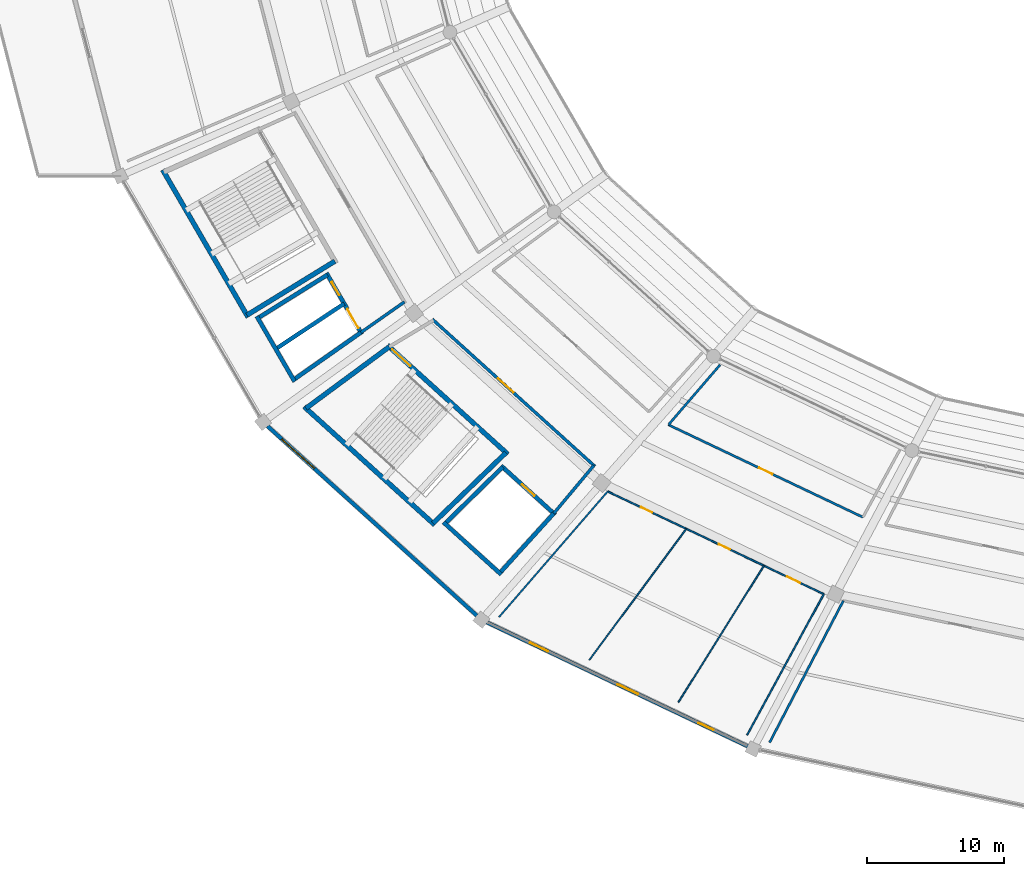
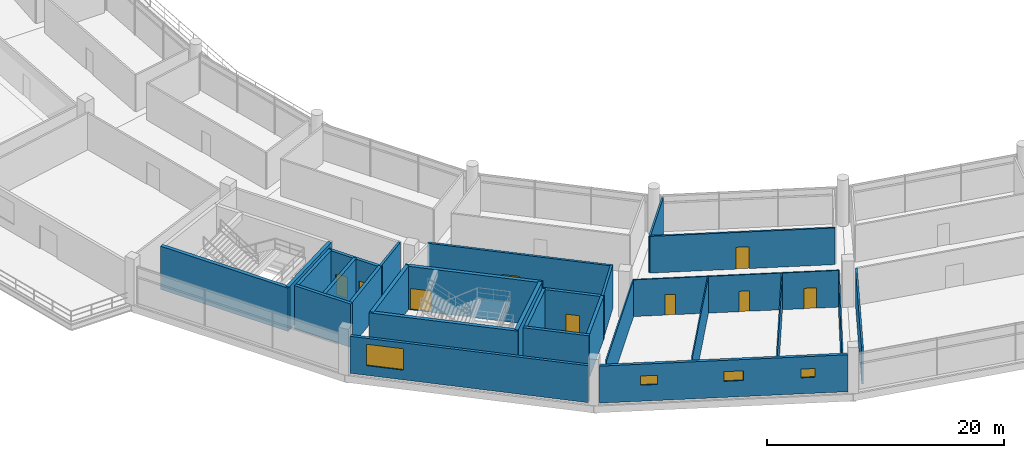
# One storey, part 128 of 171: 28 walls, 9 doors, 4 windows, 13 openings.
"""IFC4 building model written with IfcOpenShell, lengths in metres."""

from ifc_helpers import new_model, si_unit, direction, frame, frame_2d, origin, place, context, subcontext, project, spatial, rectangle, extrude, material, layer, layer_set, type_object, element, fill, save


model = new_model("IFC4")

# Units and contexts
model_context = context("Model", 3, precision=1e-05, world=origin(), true_north=direction((0.0, 1.0)))
body_context = subcontext(model_context, "Body", "Model", "MODEL_VIEW")
ifc_project = project(units=[si_unit("LENGTHUNIT", "METRE"), si_unit("AREAUNIT", "SQUARE_METRE"), si_unit("VOLUMEUNIT", "CUBIC_METRE"), si_unit("PLANEANGLEUNIT", "RADIAN"), si_unit("MASSUNIT", "GRAM", prefix="KILO")], contexts=[model_context])

# Site, building, storey
site_placement = place(None, origin())
site = spatial("IfcSite", under=ifc_project, at=site_placement, CompositionType="ELEMENT")
building_placement = place(site_placement, origin())
building = spatial("IfcBuilding", under=site, at=building_placement, Name="Kazemori Nagisa Stadium", CompositionType="ELEMENT")
storey_placement = place(building_placement, frame((0.0, 0.0, 15.639892578125)))
storey = spatial("IfcBuildingStorey", under=building, at=storey_placement, Name="L03", CompositionType="ELEMENT", Elevation=15.639892578125)

# Walls
ifc_material_1 = material(Name="Concrete C40/50 (Fc42)", Category="concrete")
ifc_layer_1 = layer(ifc_material_1, 0.35009765625, Name="Concrete C40/50 (Fc42)", Category="concrete")
ifc_layer_set_1 = layer_set([ifc_layer_1], Name="Concrete C40/50 (Fc42)")
wall_type_1 = type_object("IfcWallType", Name="Wall_W-CORE-350", PredefinedType="SHEAR", material=ifc_layer_set_1)
wall_1_placement = place(storey_placement, frame((37.19775390625, 63.6953125, 0.0), z_axis=(0.0, 0.0, 1.0), x_axis=(0.501601740165, -0.865098661577, 0.0)))
element("IfcWall", 1, at=wall_1_placement, inside=storey, type_object=wall_type_1, Name="Core stair rear shear wall ST09 L03", PredefinedType="SHEAR", context=body_context, shape_type="SweptSolid", body=[
    extrude(rectangle(XDim=12.404541015625, YDim=0.35009765625, at=frame_2d((6.2021484375, 0.0))), origin(), (0.0, 0.0, 1.0), 4.460205078125),
])
wall_2_placement = place(storey_placement, frame((49.738525390625, 57.04638671875, 0.0), z_axis=(0.0, 0.0, 1.0), x_axis=(-0.852334575619, -0.522996913188, 0.0)))
element("IfcWall", 2, at=wall_2_placement, inside=storey, type_object=wall_type_1, Name="Core stair right shear wall ST09 L03", PredefinedType="SHEAR", context=body_context, shape_type="SweptSolid", body=[
    extrude(rectangle(XDim=7.51611328125, YDim=0.35009765625, at=frame_2d((3.758056640625, 0.0))), origin(), (0.0, 0.0, 1.0), 4.460205078125),
])

# Wall, opening, door
wall_3_placement = place(storey_placement, frame((53.561279296875, 50.927978515625, 0.0), z_axis=(0.0, 0.0, 1.0), x_axis=(0.741358227035, -0.671109513572, 0.0)))
wall_3 = element("IfcWall", 3, at=wall_3_placement, inside=storey, type_object=wall_type_1, Name="Core stair front shear wall ST03 L03", PredefinedType="SHEAR", context=body_context, shape_type="SweptSolid", body=[
    extrude(rectangle(XDim=11.82666015625, YDim=0.35009765625, at=frame_2d((5.913330078125, 0.0))), origin(), (0.0, 0.0, 1.0), 4.460205078125),
])
opening_1_placement = place(wall_3_placement, frame((0.47509765625, 0.0, 0.0)))
opening_1 = element("IfcOpeningElement", 4, at=opening_1_placement, cuts=wall_3, Name="Opening D-ST-1800", PredefinedType="OPENING", context=body_context, shape_type="SweptSolid", body=[
    extrude(rectangle(XDim=1.800048828125, YDim=2.199951171875, at=frame_2d((0.89990234375, 1.10009765625))), frame((0.0, 0.18505859375, 0.0), z_axis=(0.0, -1.0, 0.0), x_axis=(1.0, 0.0, 0.0)), (0.0, 0.0, 1.0), 0.3701171875),
])
ifc_material_2 = material(Name="Galvanised steel sheet", Category="steel")
door_type_1 = type_object("IfcDoorType", Name="Door_D-ST-1800", OperationType="NOTDEFINED", PredefinedType="DOOR", material=ifc_material_2)
door_1_placement = place(opening_1_placement, frame((1.800048828125, 0.0, 0.0), z_axis=(0.0, 0.0, 1.0), x_axis=(-1.0, 0.0, 0.0)))
door_1 = element("IfcDoor", 5, at=door_1_placement, inside=storey, type_object=door_type_1, Name="Exit stair fire door ST03-L03", OperationType="SINGLE_SWING_RIGHT", OverallHeight=2.199951171875, OverallWidth=1.800048828125, PredefinedType="DOOR", context=body_context, shape_type="SweptSolid", body=[
    extrude(rectangle(XDim=1.800048828125, YDim=2.199951171875, at=frame_2d((0.89990234375, 1.10009765625))), frame((0.0, 0.02490234375, 0.0), z_axis=(0.0, -1.0, 0.0), x_axis=(1.0, 0.0, 0.0)), (0.0, 0.0, 1.0), 0.050048828125),
])
fill(opening_1, door_1)

# Walls
wall_4_placement = place(storey_placement, frame((47.500732421875, 46.451904296875, 0.0), z_axis=(0.0, 0.0, 1.0), x_axis=(0.741351373721, -0.671117084183, 0.0)))
element("IfcWall", 6, at=wall_4_placement, inside=storey, type_object=wall_type_1, Name="Core stair rear shear wall ST03 L03", PredefinedType="SHEAR", context=body_context, shape_type="SweptSolid", body=[
    extrude(rectangle(XDim=12.830322265625, YDim=0.35009765625, at=frame_2d((6.4150390625, 0.0))), origin(), (0.0, 0.0, 1.0), 4.460205078125),
])
wall_5_placement = place(storey_placement, frame((53.691162109375, 50.810546875, 0.0), z_axis=(0.0, 0.0, 1.0), x_axis=(-0.804395625347, -0.594093997548, 0.0)))
element("IfcWall", 7, at=wall_5_placement, inside=storey, type_object=wall_type_1, Name="Core stair left shear wall ST03 L03", PredefinedType="SHEAR", context=body_context, shape_type="SweptSolid", body=[
    extrude(rectangle(XDim=7.5341796875, YDim=0.35009765625, at=frame_2d((3.76708984375, 0.0))), origin(), (0.0, 0.0, 1.0), 4.460205078125),
])
wall_6_placement = place(storey_placement, frame((62.199462890625, 43.1083984375, 0.0), z_axis=(0.0, 0.0, 1.0), x_axis=(-0.718297398554, -0.69573619083, 0.0)))
element("IfcWall", 8, at=wall_6_placement, inside=storey, type_object=wall_type_1, Name="Core stair right shear wall ST03 L03", PredefinedType="SHEAR", context=body_context, shape_type="SweptSolid", body=[
    extrude(rectangle(XDim=7.40185546875, YDim=0.35009765625, at=frame_2d((3.700927734375, 0.0))), origin(), (0.0, 0.0, 1.0), 4.460205078125),
])

# Wall, opening, window
ifc_material_3 = material(Name="Concrete C40/50 (Fc42) precast", Category="concrete")
ifc_layer_2 = layer(ifc_material_3, 0.27490234375, Name="Concrete C40/50 (Fc42) precast", Category="concrete")
ifc_layer_set_2 = layer_set([ifc_layer_2], Name="Concrete C40/50 (Fc42) precast")
wall_type_2 = type_object("IfcWallType", Name="Wall_W-EXT-275", PredefinedType="SOLIDWALL", material=ifc_layer_set_2)
wall_7_placement = place(storey_placement, frame((44.830810546875, 45.037109375, 0.0), z_axis=(0.0, 0.0, 1.0), x_axis=(0.741352367697, -0.671115986183, 0.0)))
wall_7 = element("IfcWall", 9, at=wall_7_placement, inside=storey, type_object=wall_type_2, Name="Exterior facade wall L03-18", PredefinedType="SOLIDWALL", context=body_context, shape_type="SweptSolid", body=[
    extrude(rectangle(XDim=20.56396484375, YDim=0.27490234375, at=frame_2d((10.281982421875, 0.0))), origin(), (0.0, 0.0, 1.0), 3.81005859375),
])
opening_2_placement = place(wall_7_placement, frame((1.39990234375, 0.0, 1.0)))
opening_2 = element("IfcOpeningElement", 10, at=opening_2_placement, cuts=wall_7, Name="Opening WIN-L03-3200", PredefinedType="OPENING", context=body_context, shape_type="SweptSolid", body=[
    extrude(rectangle(XDim=3.199951171875, YDim=2.199951171875, at=frame_2d((1.60009765625, 1.10009765625))), frame((0.0, 0.1474609375, 0.0), z_axis=(0.0, -1.0, 0.0), x_axis=(1.0, 0.0, 0.0)), (0.0, 0.0, 1.0), 0.294921875),
])
ifc_material_4 = material(Name="Low-e laminated double glazing", Category="glass")
window_type_1 = type_object("IfcWindowType", Name="Window_WIN-L03-3200", PartitioningType="SINGLE_PANEL", PredefinedType="WINDOW", material=ifc_material_4)
window_1_placement = place(opening_2_placement, origin())
window_1 = element("IfcWindow", 11, at=window_1_placement, inside=storey, type_object=window_type_1, Name="Core lobby window L03-18", OverallHeight=2.199951171875, OverallWidth=3.199951171875, PartitioningType="SINGLE_PANEL", PredefinedType="WINDOW", context=body_context, shape_type="SweptSolid", body=[
    extrude(rectangle(XDim=3.199951171875, YDim=2.199951171875, at=frame_2d((1.60009765625, 1.10009765625))), frame((0.0, 0.030029296875, 0.0), z_axis=(0.0, -1.0, 0.0), x_axis=(1.0, 0.0, 0.0)), (0.0, 0.0, 1.0), 0.06005859375),
])
fill(opening_2, window_1)

# Wall, openings, windows
wall_8_placement = place(storey_placement, frame((60.799560546875, 30.752197265625, 0.0), z_axis=(0.0, 0.0, 1.0), x_axis=(0.903214855299, -0.429188682478, 0.0)))
wall_8 = element("IfcWall", 12, at=wall_8_placement, inside=storey, type_object=wall_type_2, Name="Exterior facade wall L03-19", PredefinedType="SOLIDWALL", context=body_context, shape_type="SweptSolid", body=[
    extrude(rectangle(XDim=21.0341796875, YDim=0.27490234375, at=frame_2d((10.51708984375, 0.0))), origin(), (0.0, 0.0, 1.0), 3.81005859375),
])
opening_3_placement = place(wall_8_placement, frame((3.48193359375, 0.0, 1.64990234375)))
opening_3 = element("IfcOpeningElement", 13, at=opening_3_placement, cuts=wall_8, Name="Opening WIN-WC-1450", PredefinedType="OPENING", context=body_context, shape_type="SweptSolid", body=[
    extrude(rectangle(XDim=1.449951171875, YDim=0.949951171875, at=frame_2d((0.72509765625, 0.47509765625))), frame((0.0, 0.1474609375, 0.0), z_axis=(0.0, -1.0, 0.0), x_axis=(1.0, 0.0, 0.0)), (0.0, 0.0, 1.0), 0.294921875),
])
opening_4_placement = place(wall_8_placement, frame((10.532958984375, 0.0, 1.64990234375)))
opening_4 = element("IfcOpeningElement", 14, at=opening_4_placement, cuts=wall_8, Name="Opening WIN-WC-1650", PredefinedType="OPENING", context=body_context, shape_type="SweptSolid", body=[
    extrude(rectangle(XDim=1.64990234375, YDim=1.0, at=frame_2d((0.824951171875, 0.5))), frame((0.0, 0.1474609375, 0.0), z_axis=(0.0, -1.0, 0.0), x_axis=(1.0, 0.0, 0.0)), (0.0, 0.0, 1.0), 0.294921875),
])
opening_5_placement = place(wall_8_placement, frame((17.069091796875, 0.0, 1.64990234375)))
opening_5 = element("IfcOpeningElement", 15, at=opening_5_placement, cuts=wall_8, Name="Opening WIN-WC-1200", PredefinedType="OPENING", context=body_context, shape_type="SweptSolid", body=[
    extrude(rectangle(XDim=1.199951171875, YDim=0.89990234375, at=frame_2d((0.60009765625, 0.449951171875))), frame((0.0, 0.1474609375, 0.0), z_axis=(0.0, -1.0, 0.0), x_axis=(1.0, 0.0, 0.0)), (0.0, 0.0, 1.0), 0.294921875),
])
window_type_2 = type_object("IfcWindowType", Name="Window_WIN-WC-1200", PartitioningType="SINGLE_PANEL", PredefinedType="WINDOW", material=ifc_material_4)
window_2_placement = place(opening_5_placement, origin())
window_2 = element("IfcWindow", 16, at=window_2_placement, inside=storey, type_object=window_type_2, Name="Sanitary clerestory window L03-19-3", OverallHeight=0.89990234375, OverallWidth=1.199951171875, PartitioningType="SINGLE_PANEL", PredefinedType="WINDOW", context=body_context, shape_type="SweptSolid", body=[
    extrude(rectangle(XDim=1.199951171875, YDim=0.89990234375, at=frame_2d((0.60009765625, 0.449951171875))), frame((0.0, 0.030029296875, 0.0), z_axis=(0.0, -1.0, 0.0), x_axis=(1.0, 0.0, 0.0)), (0.0, 0.0, 1.0), 0.06005859375),
])
fill(opening_5, window_2)
window_type_3 = type_object("IfcWindowType", Name="Window_WIN-WC-1450", PartitioningType="SINGLE_PANEL", PredefinedType="WINDOW", material=ifc_material_4)
window_3_placement = place(opening_3_placement, origin())
window_3 = element("IfcWindow", 17, at=window_3_placement, inside=storey, type_object=window_type_3, Name="Sanitary clerestory window L03-19-1", OverallHeight=0.949951171875, OverallWidth=1.449951171875, PartitioningType="SINGLE_PANEL", PredefinedType="WINDOW", context=body_context, shape_type="SweptSolid", body=[
    extrude(rectangle(XDim=1.449951171875, YDim=0.949951171875, at=frame_2d((0.72509765625, 0.47509765625))), frame((0.0, 0.030029296875, 0.0), z_axis=(0.0, -1.0, 0.0), x_axis=(1.0, 0.0, 0.0)), (0.0, 0.0, 1.0), 0.06005859375),
])
fill(opening_3, window_3)
window_type_4 = type_object("IfcWindowType", Name="Window_WIN-WC-1650", PartitioningType="SINGLE_PANEL", PredefinedType="WINDOW", material=ifc_material_4)
window_4_placement = place(opening_4_placement, origin())
window_4 = element("IfcWindow", 18, at=window_4_placement, inside=storey, type_object=window_type_4, Name="Sanitary clerestory window L03-19-2", OverallHeight=1.0, OverallWidth=1.64990234375, PartitioningType="SINGLE_PANEL", PredefinedType="WINDOW", context=body_context, shape_type="SweptSolid", body=[
    extrude(rectangle(XDim=1.64990234375, YDim=1.0, at=frame_2d((0.824951171875, 0.5))), frame((0.0, 0.030029296875, 0.0), z_axis=(0.0, -1.0, 0.0), x_axis=(1.0, 0.0, 0.0)), (0.0, 0.0, 1.0), 0.06005859375),
])
fill(opening_4, window_4)

# Wall
ifc_material_5 = material(Name="Concrete C36/45 (Fc36)", Category="concrete")
ifc_layer_3 = layer(ifc_material_5, 0.219970703125, Name="Concrete C36/45 (Fc36)", Category="concrete")
ifc_layer_set_3 = layer_set([ifc_layer_3], Name="Concrete C36/45 (Fc36)")
wall_type_3 = type_object("IfcWallType", Name="Wall_W-LOBBY-220", PredefinedType="SOLIDWALL", material=ifc_layer_set_3)
wall_9_placement = place(storey_placement, frame((54.799560546875, 54.0791015625, 0.0), z_axis=(0.0, 0.0, 1.0), x_axis=(-0.818225400643, -0.574897550649, 0.0)))
element("IfcWall", 19, at=wall_9_placement, inside=storey, type_object=wall_type_3, Name="Core lobby right wall ST09 L03", PredefinedType="SOLIDWALL", context=body_context, shape_type="SweptSolid", body=[
    extrude(rectangle(XDim=3.867919921875, YDim=0.219970703125, at=frame_2d((1.93408203125, 0.0))), origin(), (0.0, 0.0, 1.0), 4.460205078125),
])

# Wall, opening, door
wall_10_placement = place(storey_placement, frame((56.833740234375, 52.8193359375, 0.0), z_axis=(0.0, 0.0, 1.0), x_axis=(0.741351035574, -0.671117457717, 0.0)))
wall_10 = element("IfcWall", 20, at=wall_10_placement, inside=storey, type_object=wall_type_3, Name="Core lobby fire wall ST03 L03", PredefinedType="SOLIDWALL", context=body_context, shape_type="SweptSolid", body=[
    extrude(rectangle(XDim=15.96923828125, YDim=0.219970703125, at=frame_2d((7.984619140625, 0.0))), origin(), (0.0, 0.0, 1.0), 4.460205078125),
])
opening_6_placement = place(wall_10_placement, frame((6.447021484375, 0.0, 0.0)))
opening_6 = element("IfcOpeningElement", 21, at=opening_6_placement, cuts=wall_10, Name="Opening D-FFL-1500", PredefinedType="OPENING", context=body_context, shape_type="SweptSolid", body=[
    extrude(rectangle(XDim=1.5, YDim=2.199951171875, at=frame_2d((0.75, 1.10009765625))), frame((0.0, 0.119873046875, 0.0), z_axis=(0.0, -1.0, 0.0), x_axis=(1.0, 0.0, 0.0)), (0.0, 0.0, 1.0), 0.239990234375),
])
door_type_2 = type_object("IfcDoorType", Name="Door_D-FFL-1500", OperationType="NOTDEFINED", PredefinedType="DOOR", material=ifc_material_2)
door_2_placement = place(opening_6_placement, frame((1.5, 0.0, 0.0), z_axis=(0.0, 0.0, 1.0), x_axis=(-1.0, 0.0, 0.0)))
door_2 = element("IfcDoor", 22, at=door_2_placement, inside=storey, type_object=door_type_2, Name="Protected lobby fire door ST03-L03", OperationType="DOUBLE_DOOR_SINGLE_SWING", OverallHeight=2.199951171875, OverallWidth=1.5, PredefinedType="DOOR", context=body_context, shape_type="SweptSolid", body=[
    extrude(rectangle(XDim=1.5, YDim=2.199951171875, at=frame_2d((0.75, 1.10009765625))), frame((0.0, 0.02490234375, 0.0), z_axis=(0.0, -1.0, 0.0), x_axis=(1.0, 0.0, 0.0)), (0.0, 0.0, 1.0), 0.050048828125),
])
fill(opening_6, door_2)

# Walls
wall_11_placement = place(storey_placement, frame((68.591064453125, 42.176025390625, 0.0), z_axis=(0.0, 0.0, 1.0), x_axis=(-0.640759627034, -0.767741558315, 0.0)))
element("IfcWall", 23, at=wall_11_placement, inside=storey, type_object=wall_type_3, Name="Core lobby right wall ST03 L03", PredefinedType="SOLIDWALL", context=body_context, shape_type="SweptSolid", body=[
    extrude(rectangle(XDim=4.549072265625, YDim=0.219970703125, at=frame_2d((2.2744140625, 0.0))), origin(), (0.0, 0.0, 1.0), 4.460205078125),
])
ifc_material_6 = material(Name="High-pressure phenolic compact laminate", Category="gypsum")
ifc_layer_4 = layer(ifc_material_6, 0.10009765625, Name="High-pressure phenolic compact laminate", Category="gypsum")
ifc_layer_set_4 = layer_set([ifc_layer_4], Name="High-pressure phenolic compact laminate")
wall_type_4 = type_object("IfcWallType", Name="Wall_W-PART-100", PredefinedType="PARTITIONING", material=ifc_layer_set_4)
wall_12_placement = place(storey_placement, frame((75.326416015625, 37.55859375, 0.0), z_axis=(0.0, 0.0, 1.0), x_axis=(-0.594760374645, -0.803903039397, 0.0)))
element("IfcWall", 24, at=wall_12_placement, inside=storey, type_object=wall_type_4, Name="Sanitary divider partition L03-B19-1", PredefinedType="PARTITIONING", context=body_context, shape_type="SweptSolid", body=[
    extrude(rectangle(XDim=11.875244140625, YDim=0.10009765625, at=frame_2d((5.9375, 0.0))), origin(), (0.0, 0.0, 1.0), 3.780029296875),
])
wall_13_placement = place(storey_placement, frame((80.974609375, 34.874755859375, 0.0), z_axis=(0.0, 0.0, 1.0), x_axis=(-0.530664656497, -0.847581867636, 0.0)))
element("IfcWall", 25, at=wall_13_placement, inside=storey, type_object=wall_type_4, Name="Sanitary divider partition L03-B19-2", PredefinedType="PARTITIONING", context=body_context, shape_type="SweptSolid", body=[
    extrude(rectangle(XDim=11.732666015625, YDim=0.10009765625, at=frame_2d((5.8662109375, 0.0))), origin(), (0.0, 0.0, 1.0), 3.780029296875),
])

# Wall, openings, doors
ifc_material_7 = material(Name="Moisture-resistant gypsum board", Category="gypsum")
ifc_layer_5 = layer(ifc_material_7, 0.114990234375, Name="Moisture-resistant gypsum board", Category="gypsum")
ifc_layer_set_5 = layer_set([ifc_layer_5], Name="Moisture-resistant gypsum board")
wall_type_5 = type_object("IfcWallType", Name="Wall_W-PART-115", PredefinedType="PARTITIONING", material=ifc_layer_set_5)
wall_14_placement = place(storey_placement, frame((69.599365234375, 40.280029296875, 0.0), z_axis=(0.0, 0.0, 1.0), x_axis=(0.903217202186, -0.429183743488, 0.0)))
wall_14 = element("IfcWall", 26, at=wall_14_placement, inside=storey, type_object=wall_type_5, Name="Sanitary block corridor partition L03-B19", PredefinedType="PARTITIONING", context=body_context, shape_type="SweptSolid", body=[
    extrude(rectangle(XDim=17.419189453125, YDim=0.114990234375, at=frame_2d((8.70947265625, 0.0))), origin(), (0.0, 0.0, 1.0), 3.780029296875),
])
opening_7_placement = place(wall_14_placement, frame((2.68505859375, 0.0, 0.0)))
opening_7 = element("IfcOpeningElement", 27, at=opening_7_placement, cuts=wall_14, Name="Opening D-WC-900", PredefinedType="OPENING", context=body_context, shape_type="SweptSolid", body=[
    extrude(rectangle(XDim=0.89990234375, YDim=2.10009765625, at=frame_2d((0.449951171875, 1.050048828125))), frame((0.0, 0.0673828125, 0.0), z_axis=(0.0, -1.0, 0.0), x_axis=(1.0, 0.0, 0.0)), (0.0, 0.0, 1.0), 0.135009765625),
])
opening_8_placement = place(wall_14_placement, frame((8.9560546875, 0.0, 0.0)))
opening_8 = element("IfcOpeningElement", 28, at=opening_8_placement, cuts=wall_14, Name="Opening D-WC-900", PredefinedType="OPENING", context=body_context, shape_type="SweptSolid", body=[
    extrude(rectangle(XDim=0.89990234375, YDim=2.10009765625, at=frame_2d((0.449951171875, 1.050048828125))), frame((0.0, 0.0673828125, 0.0), z_axis=(0.0, -1.0, 0.0), x_axis=(1.0, 0.0, 0.0)), (0.0, 0.0, 1.0), 0.135009765625),
])
opening_9_placement = place(wall_14_placement, frame((14.455078125, 0.0, 0.0)))
opening_9 = element("IfcOpeningElement", 29, at=opening_9_placement, cuts=wall_14, Name="Opening D-AWC-1050", PredefinedType="OPENING", context=body_context, shape_type="SweptSolid", body=[
    extrude(rectangle(XDim=1.050048828125, YDim=2.10009765625, at=frame_2d((0.52490234375, 1.050048828125))), frame((0.0, 0.0673828125, 0.0), z_axis=(0.0, -1.0, 0.0), x_axis=(1.0, 0.0, 0.0)), (0.0, 0.0, 1.0), 0.135009765625),
])
ifc_material_8 = material(Name="High-pressure laminate on timber core", Category="wood")
door_type_3 = type_object("IfcDoorType", Name="Door_D-AWC-1050", OperationType="NOTDEFINED", PredefinedType="DOOR", material=ifc_material_8)
door_3_placement = place(opening_9_placement, origin())
door_3 = element("IfcDoor", 30, at=door_3_placement, inside=storey, type_object=door_type_3, Name="AWC entrance door L03-B19", OperationType="SINGLE_SWING_RIGHT", OverallHeight=2.10009765625, OverallWidth=1.050048828125, PredefinedType="DOOR", context=body_context, shape_type="SweptSolid", body=[
    extrude(rectangle(XDim=1.050048828125, YDim=2.10009765625, at=frame_2d((0.52490234375, 1.050048828125))), frame((0.0, 0.02490234375, 0.0), z_axis=(0.0, -1.0, 0.0), x_axis=(1.0, 0.0, 0.0)), (0.0, 0.0, 1.0), 0.050048828125),
])
fill(opening_9, door_3)
door_type_4 = type_object("IfcDoorType", Name="Door_D-WC-900", OperationType="NOTDEFINED", PredefinedType="DOOR", material=ifc_material_8)
door_4_placement = place(opening_7_placement, origin())
door_4 = element("IfcDoor", 31, at=door_4_placement, inside=storey, type_object=door_type_4, Name="MWC entrance door L03-B19", OperationType="SINGLE_SWING_RIGHT", OverallHeight=2.10009765625, OverallWidth=0.89990234375, PredefinedType="DOOR", context=body_context, shape_type="SweptSolid", body=[
    extrude(rectangle(XDim=0.89990234375, YDim=2.10009765625, at=frame_2d((0.449951171875, 1.050048828125))), frame((0.0, 0.02490234375, 0.0), z_axis=(0.0, -1.0, 0.0), x_axis=(1.0, 0.0, 0.0)), (0.0, 0.0, 1.0), 0.050048828125),
])
fill(opening_7, door_4)
door_5_placement = place(opening_8_placement, origin())
door_5 = element("IfcDoor", 32, at=door_5_placement, inside=storey, type_object=door_type_4, Name="FWC entrance door L03-B19", OperationType="SINGLE_SWING_LEFT", OverallHeight=2.10009765625, OverallWidth=0.89990234375, PredefinedType="DOOR", context=body_context, shape_type="SweptSolid", body=[
    extrude(rectangle(XDim=0.89990234375, YDim=2.10009765625, at=frame_2d((0.449951171875, 1.050048828125))), frame((0.0, 0.02490234375, 0.0), z_axis=(0.0, -1.0, 0.0), x_axis=(1.0, 0.0, 0.0)), (0.0, 0.0, 1.0), 0.050048828125),
])
fill(opening_8, door_5)

# Walls
wall_15_placement = place(storey_placement, frame((69.599365234375, 40.280029296875, 0.0), z_axis=(0.0, 0.0, 1.0), x_axis=(-0.654293035882, -0.756241114458, 0.0)))
element("IfcWall", 33, at=wall_15_placement, inside=storey, type_object=wall_type_5, Name="Sanitary block L partition L03-B19", PredefinedType="PARTITIONING", context=body_context, shape_type="SweptSolid", body=[
    extrude(rectangle(XDim=12.091064453125, YDim=0.114990234375, at=frame_2d((6.04541015625, 0.0))), origin(), (0.0, 0.0, 1.0), 3.780029296875),
])
wall_16_placement = place(storey_placement, frame((85.332763671875, 32.803955078125, 0.0), z_axis=(0.0, 0.0, 1.0), x_axis=(-0.478125060974, -0.878291765912, 0.0)))
element("IfcWall", 34, at=wall_16_placement, inside=storey, type_object=wall_type_5, Name="Sanitary block R partition L03-B19", PredefinedType="PARTITIONING", context=body_context, shape_type="SweptSolid", body=[
    extrude(rectangle(XDim=11.671875, YDim=0.114990234375, at=frame_2d((5.8359375, 0.0))), origin(), (0.0, 0.0, 1.0), 3.780029296875),
])
ifc_material_9 = material(Name="Gypsum plasterboard", Category="gypsum")
ifc_layer_6 = layer(ifc_material_9, 0.1650390625, Name="Gypsum plasterboard", Category="gypsum")
ifc_layer_set_6 = layer_set([ifc_layer_6], Name="Gypsum plasterboard")
wall_type_6 = type_object("IfcWallType", Name="Wall_W-PART-165", PredefinedType="PARTITIONING", material=ifc_layer_set_6)
wall_17_placement = place(storey_placement, frame((86.755615234375, 32.322509765625, 0.0), z_axis=(0.0, 0.0, 1.0), x_axis=(-0.46148287956, -0.88714911479, 0.0)))
element("IfcWall", 35, at=wall_17_placement, inside=storey, type_object=wall_type_6, Name="Room radial partition L03-B20-L", PredefinedType="PARTITIONING", context=body_context, shape_type="SweptSolid", body=[
    extrude(rectangle(XDim=11.635498046875, YDim=0.1650390625, at=frame_2d((5.81787109375, 0.0))), origin(), (0.0, 0.0, 1.0), 3.780029296875),
])

# Wall, opening, door
wall_18_placement = place(storey_placement, frame((74.021484375, 45.13427734375, 0.0), z_axis=(0.0, 0.0, 1.0), x_axis=(0.903213075216, -0.42919242859, 0.0)))
wall_18 = element("IfcWall", 36, at=wall_18_placement, inside=storey, type_object=wall_type_6, Name="Bowl hospitality suite partition L03-B19", PredefinedType="PARTITIONING", context=body_context, shape_type="SweptSolid", body=[
    extrude(rectangle(XDim=15.679443359375, YDim=0.1650390625, at=frame_2d((7.83984375, 0.0))), origin(), (0.0, 0.0, 1.0), 3.780029296875),
])
opening_10_placement = place(wall_18_placement, frame((7.2900390625, 0.0, 0.0)))
opening_10 = element("IfcOpeningElement", 37, at=opening_10_placement, cuts=wall_18, Name="Opening D-SUI-1100", PredefinedType="OPENING", context=body_context, shape_type="SweptSolid", body=[
    extrude(rectangle(XDim=1.10009765625, YDim=2.25, at=frame_2d((0.550048828125, 1.125))), frame((0.0, 0.092529296875, 0.0), z_axis=(0.0, -1.0, 0.0), x_axis=(1.0, 0.0, 0.0)), (0.0, 0.0, 1.0), 0.18505859375),
])
ifc_material_10 = material(Name="Oak timber veneer", Category="wood")
door_type_5 = type_object("IfcDoorType", Name="Door_D-SUI-1100", OperationType="NOTDEFINED", PredefinedType="DOOR", material=ifc_material_10)
door_6_placement = place(opening_10_placement, origin())
door_6 = element("IfcDoor", 38, at=door_6_placement, inside=storey, type_object=door_type_5, Name="Bowl hospitality suite door L03-B19", OperationType="SINGLE_SWING_LEFT", OverallHeight=2.25, OverallWidth=1.10009765625, PredefinedType="DOOR", context=body_context, shape_type="SweptSolid", body=[
    extrude(rectangle(XDim=1.10009765625, YDim=2.25, at=frame_2d((0.550048828125, 1.125))), frame((0.0, 0.02490234375, 0.0), z_axis=(0.0, -1.0, 0.0), x_axis=(1.0, 0.0, 0.0)), (0.0, 0.0, 1.0), 0.050048828125),
])
fill(opening_10, door_6)

# Wall
wall_19_placement = place(storey_placement, frame((74.021484375, 45.13427734375, 0.0), z_axis=(0.0, 0.0, 1.0), x_axis=(0.652601574789, 0.757701250219, 0.0)))
element("IfcWall", 39, at=wall_19_placement, inside=storey, type_object=wall_type_6, Name="Bowl hospitality suite divider L03-B19L", PredefinedType="PARTITIONING", context=body_context, shape_type="SweptSolid", body=[
    extrude(rectangle(XDim=5.758544921875, YDim=0.1650390625, at=frame_2d((2.87939453125, 0.0))), origin(), (0.0, 0.0, 1.0), 3.780029296875),
])

# Wall, openings, doors
ifc_layer_7 = layer(ifc_material_1, 0.300048828125, Name="Concrete C40/50 (Fc42)", Category="concrete")
ifc_layer_set_7 = layer_set([ifc_layer_7], Name="Concrete C40/50 (Fc42)")
wall_type_7 = type_object("IfcWallType", Name="Wall_W-SHAFT-300", PredefinedType="SHEAR", material=ifc_layer_set_7)
wall_20_placement = place(storey_placement, frame((49.123046875, 56.1875, 0.0), z_axis=(0.0, 0.0, 1.0), x_axis=(0.501629534056, -0.86508254552, 0.0)))
wall_20 = element("IfcWall", 40, at=wall_20_placement, inside=storey, type_object=wall_type_7, Name="Lift shaft front wall LP7 L03", PredefinedType="SHEAR", context=body_context, shape_type="SweptSolid", body=[
    extrude(rectangle(XDim=5.157470703125, YDim=0.300048828125, at=frame_2d((2.57861328125, 0.0))), origin(), (0.0, 0.0, 1.0), 4.460205078125),
])
opening_11_placement = place(wall_20_placement, frame((0.76611328125, 0.0, 0.0)))
opening_11 = element("IfcOpeningElement", 41, at=opening_11_placement, cuts=wall_20, Name="Opening LD-PAX", PredefinedType="OPENING", context=body_context, shape_type="SweptSolid", body=[
    extrude(rectangle(XDim=1.10009765625, YDim=2.199951171875, at=frame_2d((0.550048828125, 1.10009765625))), frame((0.0, 0.159912109375, 0.0), z_axis=(0.0, -1.0, 0.0), x_axis=(1.0, 0.0, 0.0)), (0.0, 0.0, 1.0), 0.320068359375),
])
opening_12_placement = place(wall_20_placement, frame((3.0419921875, 0.0, 0.0)))
opening_12 = element("IfcOpeningElement", 42, at=opening_12_placement, cuts=wall_20, Name="Opening LD-GDS", PredefinedType="OPENING", context=body_context, shape_type="SweptSolid", body=[
    extrude(rectangle(XDim=1.60009765625, YDim=2.300048828125, at=frame_2d((0.800048828125, 1.14990234375))), frame((0.0, 0.159912109375, 0.0), z_axis=(0.0, -1.0, 0.0), x_axis=(1.0, 0.0, 0.0)), (0.0, 0.0, 1.0), 0.320068359375),
])
ifc_material_11 = material(Name="Stainless steel SUS304", Category="steel")
door_type_6 = type_object("IfcDoorType", Name="Door_LD-GDS", OperationType="SLIDING_TO_LEFT", PredefinedType="DOOR", material=ifc_material_11)
door_7_placement = place(opening_12_placement, origin())
door_7 = element("IfcDoor", 43, at=door_7_placement, inside=storey, type_object=door_type_6, Name="Lift landing door LG2-L03", OperationType="SLIDING_TO_LEFT", OverallHeight=2.300048828125, OverallWidth=1.60009765625, PredefinedType="DOOR", context=body_context, shape_type="SweptSolid", body=[
    extrude(rectangle(XDim=1.60009765625, YDim=2.300048828125, at=frame_2d((0.800048828125, 1.14990234375))), frame((0.0, 0.02490234375, 0.0), z_axis=(0.0, -1.0, 0.0), x_axis=(1.0, 0.0, 0.0)), (0.0, 0.0, 1.0), 0.050048828125),
])
fill(opening_12, door_7)
door_type_7 = type_object("IfcDoorType", Name="Door_LD-PAX", OperationType="SLIDING_TO_RIGHT", PredefinedType="DOOR", material=ifc_material_11)
door_8_placement = place(opening_11_placement, origin())
door_8 = element("IfcDoor", 44, at=door_8_placement, inside=storey, type_object=door_type_7, Name="Lift landing door LP7-L03", OperationType="SLIDING_TO_RIGHT", OverallHeight=2.199951171875, OverallWidth=1.10009765625, PredefinedType="DOOR", context=body_context, shape_type="SweptSolid", body=[
    extrude(rectangle(XDim=1.10009765625, YDim=2.199951171875, at=frame_2d((0.550048828125, 1.10009765625))), frame((0.0, 0.02490234375, 0.0), z_axis=(0.0, -1.0, 0.0), x_axis=(1.0, 0.0, 0.0)), (0.0, 0.0, 1.0), 0.050048828125),
])
fill(opening_11, door_8)

# Walls
wall_21_placement = place(storey_placement, frame((44.05029296875, 53.029541015625, 0.0), z_axis=(0.0, 0.0, 1.0), x_axis=(0.501596987756, -0.865101417103, 0.0)))
element("IfcWall", 45, at=wall_21_placement, inside=storey, type_object=wall_type_7, Name="Lift shaft B wall LP7 L03", PredefinedType="SHEAR", context=body_context, shape_type="SweptSolid", body=[
    extrude(rectangle(XDim=5.4912109375, YDim=0.300048828125, at=frame_2d((2.74560546875, 0.0))), origin(), (0.0, 0.0, 1.0), 4.460205078125),
])
wall_22_placement = place(storey_placement, frame((49.1982421875, 56.0576171875, 0.0), z_axis=(0.0, 0.0, 1.0), x_axis=(-0.848938067893, -0.528492343257, 0.0)))
element("IfcWall", 46, at=wall_22_placement, inside=storey, type_object=wall_type_7, Name="Lift shaft L wall LP7 L03", PredefinedType="SHEAR", context=body_context, shape_type="SweptSolid", body=[
    extrude(rectangle(XDim=5.975341796875, YDim=0.300048828125, at=frame_2d((2.98779296875, 0.0))), origin(), (0.0, 0.0, 1.0), 4.460205078125),
])
wall_23_placement = place(storey_placement, frame((51.634765625, 51.85546875, 0.0), z_axis=(0.0, 0.0, 1.0), x_axis=(-0.818205158105, -0.574926359851, 0.0)))
element("IfcWall", 47, at=wall_23_placement, inside=storey, type_object=wall_type_7, Name="Lift shaft R wall LP7 L03", PredefinedType="SHEAR", context=body_context, shape_type="SweptSolid", body=[
    extrude(rectangle(XDim=5.9951171875, YDim=0.300048828125, at=frame_2d((2.99755859375, 0.0))), origin(), (0.0, 0.0, 1.0), 4.460205078125),
])
wall_24_placement = place(storey_placement, frame((50.41650390625, 53.95654296875, 0.0), z_axis=(0.0, 0.0, 1.0), x_axis=(-0.833878900042, -0.551947443209, 0.0)))
element("IfcWall", 48, at=wall_24_placement, inside=storey, type_object=wall_type_7, Name="Lift shaft divider wall LP7-LG2 L03", PredefinedType="SHEAR", context=body_context, shape_type="SweptSolid", body=[
    extrude(rectangle(XDim=5.98291015625, YDim=0.300048828125, at=frame_2d((2.991455078125, 0.0))), origin(), (0.0, 0.0, 1.0), 4.460205078125),
])

# Wall, opening, door
wall_25_placement = place(storey_placement, frame((61.8369140625, 42.159423828125, 0.0), z_axis=(0.0, 0.0, 1.0), x_axis=(0.741350155641, -0.671118429736, 0.0)))
wall_25 = element("IfcWall", 49, at=wall_25_placement, inside=storey, type_object=wall_type_7, Name="Lift shaft front wall FL3 L03", PredefinedType="SHEAR", context=body_context, shape_type="SweptSolid", body=[
    extrude(rectangle(XDim=5.3291015625, YDim=0.300048828125, at=frame_2d((2.66455078125, 0.0))), origin(), (0.0, 0.0, 1.0), 4.460205078125),
])
opening_13_placement = place(wall_25_placement, frame((2.06494140625, 0.0, 0.0)))
opening_13 = element("IfcOpeningElement", 50, at=opening_13_placement, cuts=wall_25, Name="Opening LD-FF", PredefinedType="OPENING", context=body_context, shape_type="SweptSolid", body=[
    extrude(rectangle(XDim=1.199951171875, YDim=2.199951171875, at=frame_2d((0.60009765625, 1.10009765625))), frame((0.0, 0.159912109375, 0.0), z_axis=(0.0, -1.0, 0.0), x_axis=(1.0, 0.0, 0.0)), (0.0, 0.0, 1.0), 0.320068359375),
])
door_type_8 = type_object("IfcDoorType", Name="Door_LD-FF", OperationType="SLIDING_TO_LEFT", PredefinedType="DOOR", material=ifc_material_11)
door_9_placement = place(opening_13_placement, origin())
door_9 = element("IfcDoor", 51, at=door_9_placement, inside=storey, type_object=door_type_8, Name="Lift landing door FL3-L03", OperationType="SLIDING_TO_LEFT", OverallHeight=2.199951171875, OverallWidth=1.199951171875, PredefinedType="DOOR", context=body_context, shape_type="SweptSolid", body=[
    extrude(rectangle(XDim=1.199951171875, YDim=2.199951171875, at=frame_2d((0.60009765625, 1.10009765625))), frame((0.0, 0.02490234375, 0.0), z_axis=(0.0, -1.0, 0.0), x_axis=(1.0, 0.0, 0.0)), (0.0, 0.0, 1.0), 0.050048828125),
])
fill(opening_13, door_9)

# Walls
wall_26_placement = place(storey_placement, frame((57.640380859375, 38.039306640625, 0.0), z_axis=(0.0, 0.0, 1.0), x_axis=(0.74134208775, -0.671127341815, 0.0)))
element("IfcWall", 52, at=wall_26_placement, inside=storey, type_object=wall_type_7, Name="Lift shaft B wall FL3 L03", PredefinedType="SHEAR", context=body_context, shape_type="SweptSolid", body=[
    extrude(rectangle(XDim=5.674560546875, YDim=0.300048828125, at=frame_2d((2.83740234375, 0.0))), origin(), (0.0, 0.0, 1.0), 4.460205078125),
])
wall_27_placement = place(storey_placement, frame((61.947998046875, 42.058837890625, 0.0), z_axis=(0.0, 0.0, 1.0), x_axis=(-0.713553028001, -0.700601224828, 0.0)))
element("IfcWall", 53, at=wall_27_placement, inside=storey, type_object=wall_type_7, Name="Lift shaft L wall FL3 L03", PredefinedType="SHEAR", context=body_context, shape_type="SweptSolid", body=[
    extrude(rectangle(XDim=5.881103515625, YDim=0.300048828125, at=frame_2d((2.9404296875, 0.0))), origin(), (0.0, 0.0, 1.0), 4.460205078125),
])
wall_28_placement = place(storey_placement, frame((65.67626953125, 38.68359375, 0.0), z_axis=(0.0, 0.0, 1.0), x_axis=(-0.67115829282, -0.741314067031, 0.0)))
element("IfcWall", 54, at=wall_28_placement, inside=storey, type_object=wall_type_7, Name="Lift shaft R wall FL3 L03", PredefinedType="SHEAR", context=body_context, shape_type="SweptSolid", body=[
    extrude(rectangle(XDim=5.87060546875, YDim=0.300048828125, at=frame_2d((2.935302734375, 0.0))), origin(), (0.0, 0.0, 1.0), 4.460205078125),
])

save(model, "model.ifc")
